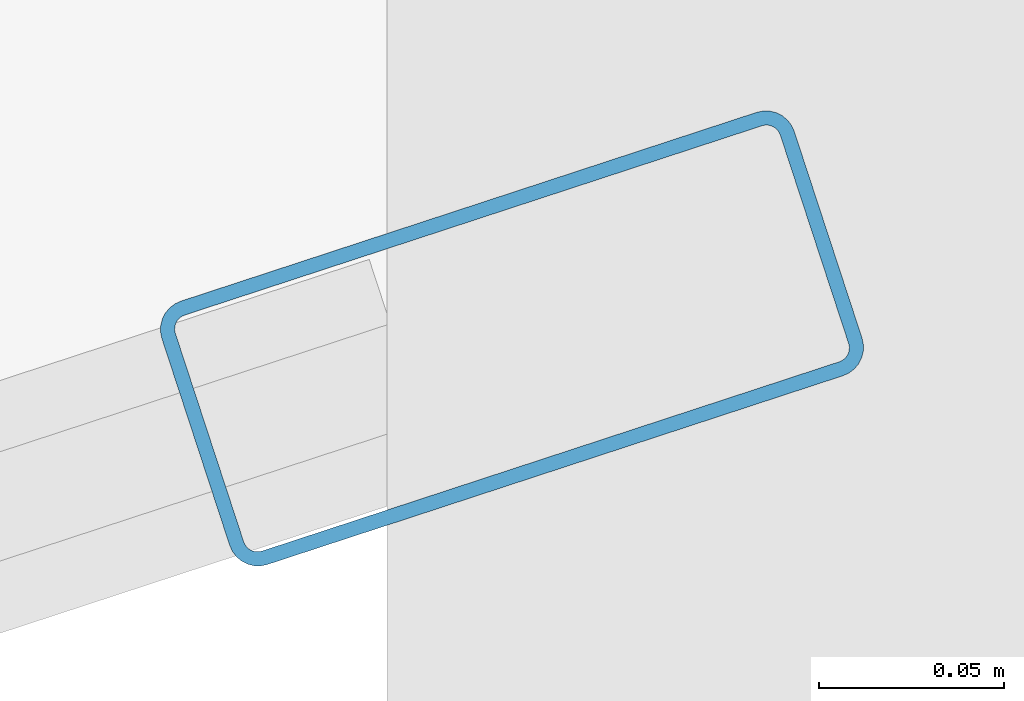
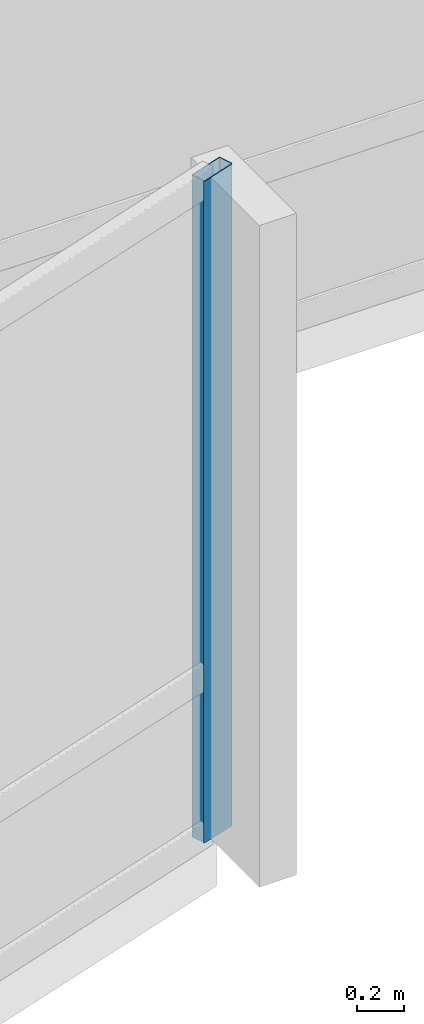
# One storey, part 10 of 34: 1 member, 1 element without a shape of its own.
"""IFC4 building model written with IfcOpenShell, lengths in metres."""

from ifc_helpers import new_model, si_unit, direction, frame, origin, origin_2d, place, context, subcontext, project, spatial, hollow_rectangle, extrude, material, layer, layer_set, material_profile, profile_set, type_object, element, aggregate, save


model = new_model("IFC4")

# Units and contexts
model_context = context("Model", 3, precision=1e-05, world=origin(), true_north=direction((0.0, 1.0)))
body_context = subcontext(model_context, "Body", "Model", "MODEL_VIEW")
ifc_project = project(units=[si_unit("LENGTHUNIT", "METRE"), si_unit("AREAUNIT", "SQUARE_METRE"), si_unit("VOLUMEUNIT", "CUBIC_METRE"), si_unit("PLANEANGLEUNIT", "RADIAN"), si_unit("MASSUNIT", "GRAM", prefix="KILO")], contexts=[model_context])

# Site, building, storey
site_placement = place(None, origin())
site = spatial("IfcSite", under=ifc_project, at=site_placement, CompositionType="ELEMENT")
building_placement = place(site_placement, origin())
building = spatial("IfcBuilding", under=site, at=building_placement, Name="Solvaryn Broadcast Tower", CompositionType="ELEMENT")
storey_placement = place(building_placement, frame((0.0, 0.0, 43.39990234375)))
storey = spatial("IfcBuildingStorey", under=building, at=storey_placement, Name="L09", CompositionType="ELEMENT", Elevation=43.39990234375)

# Curtain wall, member
ifc_material_1 = material(Name="Aluminium and Terracotta Unitised Curtain Wall", Category="masonry")
ifc_layer = layer(ifc_material_1, 0.199951171875)
ifc_layer_set = layer_set([ifc_layer], Name="CW-SYS2-LOWMID")
curtain_wall_type = type_object("IfcCurtainWallType", Name="CW-SYS2-LOWMID", PredefinedType="NOTDEFINED", material=ifc_layer_set)
curtain_wall_placement = place(storey_placement, origin())
curtain_wall = element("IfcCurtainWall", 1, at=curtain_wall_placement, inside=storey, type_object=curtain_wall_type, Name="L09 Curtain Wall DR4", PredefinedType="NOTDEFINED")
ifc_material_2 = material(Name="Anodised Aluminium 6063-T6", Category="aluminium")
ifc_material_profile = material_profile(ifc_material_2, hollow_rectangle(XDim=0.074951171875, YDim=0.179931640625, WallThickness=0.00390625, InnerFilletRadius=0.00390625, OuterFilletRadius=0.008056640625, at=origin_2d()))
ifc_profile_set = profile_set([ifc_material_profile], Name="Anodised Aluminium 6063-T6")
member_type = type_object("IfcMemberType", Name="CW-MUL-180", PredefinedType="MULLION", material=ifc_profile_set)
member_placement = place(storey_placement, frame((45.987548828125, 5.90673828125, 0.0), z_axis=(0.0, 0.0, 1.0), x_axis=(-0.311594044587, 0.950215318429, 0.0)))
member = element("IfcMember", 2, at=member_placement, type_object=member_type, Name="CWS2 mullion 2", PredefinedType="MULLION", context=body_context, shape_type="SweptSolid", body=[
    extrude(hollow_rectangle(XDim=0.074951171875, YDim=0.179931640625, WallThickness=0.00390625, InnerFilletRadius=0.00390625, OuterFilletRadius=0.008056640625, at=origin_2d()), origin(), (0.0, 0.0, 1.0), 3.420166015625),
])
aggregate(curtain_wall, [member])

save(model, "model.ifc")
